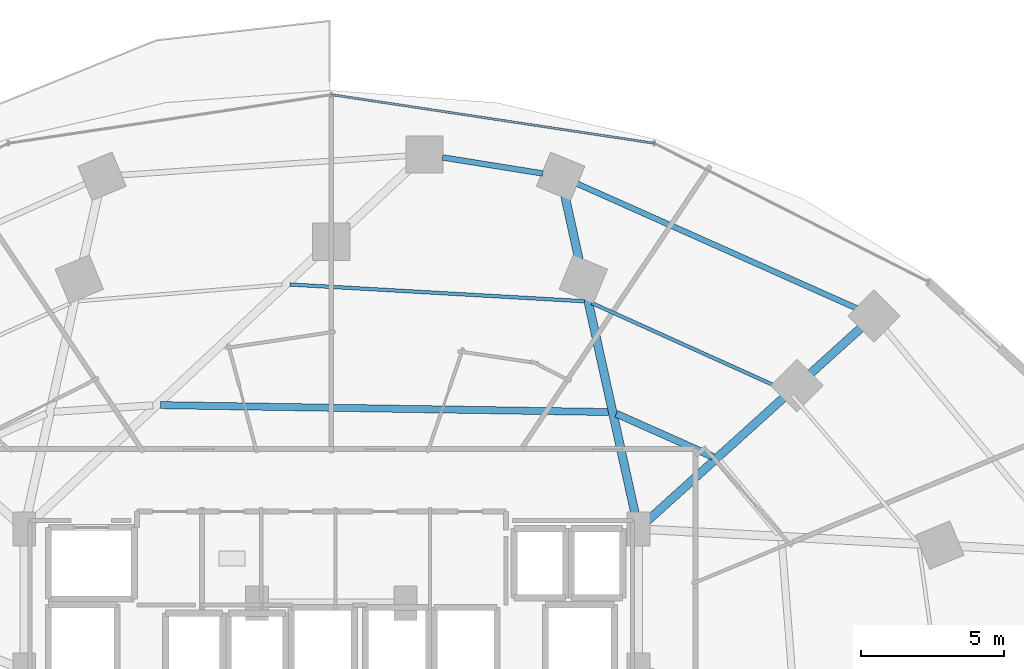
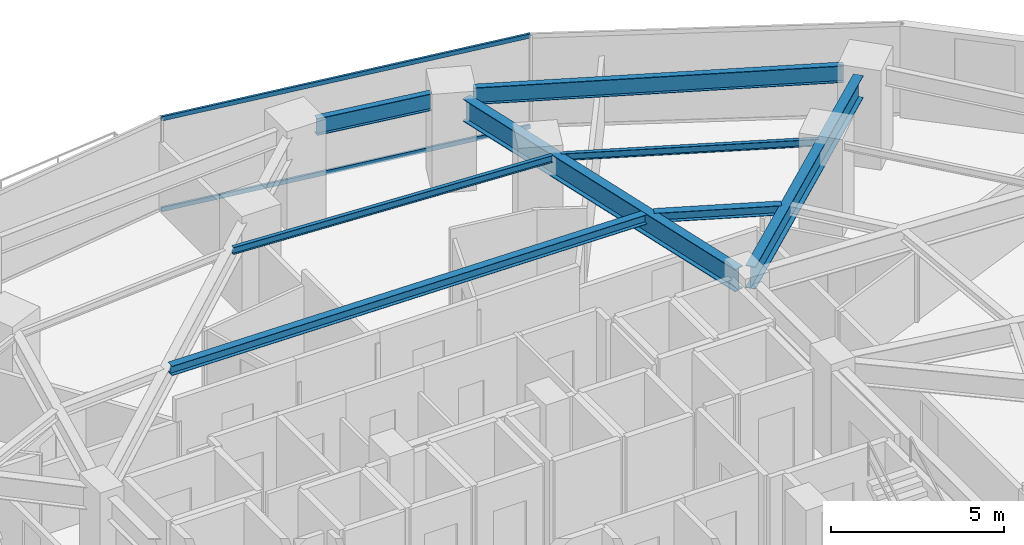
# One storey, part 23 of 35: 8 beams, 2 members, 1 element without a shape of its own.
"""IFC4 building model written with IfcOpenShell, lengths in metres."""

from ifc_helpers import new_model, si_unit, direction, frame, origin, origin_2d, place, context, subcontext, project, spatial, hollow_rectangle, i_section, extrude, material, material_profile, profile_set, type_object, element, aggregate, save


model = new_model("IFC4")

# Units and contexts
model_context = context("Model", 3, precision=1e-05, world=origin(), true_north=direction((0.0, 1.0)))
body_context = subcontext(model_context, "Body", "Model", "MODEL_VIEW")
ifc_project = project(units=[si_unit("LENGTHUNIT", "METRE"), si_unit("AREAUNIT", "SQUARE_METRE"), si_unit("VOLUMEUNIT", "CUBIC_METRE"), si_unit("PLANEANGLEUNIT", "RADIAN"), si_unit("MASSUNIT", "GRAM", prefix="KILO")], contexts=[model_context])

# Site, building, storey
site_placement = place(None, origin())
site = spatial("IfcSite", under=ifc_project, at=site_placement, CompositionType="ELEMENT")
building_placement = place(site_placement, origin())
building = spatial("IfcBuilding", under=site, at=building_placement, Name="Vorneva Point Tower", CompositionType="ELEMENT")
storey_placement = place(building_placement, frame((0.0, 0.0, 45.0)))
storey = spatial("IfcBuildingStorey", under=building, at=storey_placement, Name="L11", CompositionType="ELEMENT", Elevation=45.0)

# Beams
ifc_material_1 = material(Name="Steel S355", Category="steel")
ifc_material_profile_1 = material_profile(ifc_material_1, i_section(OverallWidth=0.300048828125, OverallDepth=0.7880859375, WebThickness=0.014404296875, FlangeThickness=0.02197265625, at=origin_2d()), Name="80Sh1")
ifc_profile_set_1 = profile_set([ifc_material_profile_1], Name="Steel S355")
beam_type_1 = type_object("IfcBeamType", Name="BM-GRD-80Sh1", PredefinedType="USERDEFINED", material=ifc_profile_set_1)
beam_1_placement = place(storey_placement, frame((56.52392578125, 40.172119140625, 2.845947265625), z_axis=(-0.742084477445, -0.67030636901, 0.0), x_axis=(0.67030636901, -0.742084477445, 0.0)))
element("IfcBeam", 1, at=beam_1_placement, inside=storey, type_object=beam_type_1, Name="L11 Radial Primary Girder 03", ObjectType="GIRDER", PredefinedType="USERDEFINED", context=body_context, shape_type="SweptSolid", body=[
    extrude(i_section(OverallWidth=0.300048828125, OverallDepth=0.7880859375, WebThickness=0.014404296875, FlangeThickness=0.02197265625, at=origin_2d()), origin(), (0.0, 0.0, 1.0), 10.135986328125),
])
beam_2_placement = place(storey_placement, frame((46.163818359375, 44.86865234375, 2.845947265625), z_axis=(0.215504784711, -0.976502784311, 0.0), x_axis=(0.976502784311, 0.215504784711, 0.0)))
element("IfcBeam", 2, at=beam_2_placement, inside=storey, type_object=beam_type_1, Name="L11 Radial Primary Girder 04", ObjectType="GIRDER", PredefinedType="USERDEFINED", context=body_context, shape_type="SweptSolid", body=[
    extrude(i_section(OverallWidth=0.300048828125, OverallDepth=0.7880859375, WebThickness=0.014404296875, FlangeThickness=0.02197265625, at=origin_2d()), origin(), (0.0, 0.0, 1.0), 11.66064453125),
])
ifc_material_profile_2 = material_profile(ifc_material_1, i_section(OverallWidth=0.1240234375, OverallDepth=0.248046875, WebThickness=0.0048828125, FlangeThickness=0.008056640625, at=origin_2d()), Name="25B1")
ifc_profile_set_2 = profile_set([ifc_material_profile_2], Name="Steel S355")
beam_type_2 = type_object("IfcBeamType", Name="BM-JST-25B1", PredefinedType="JOIST", material=ifc_profile_set_2)
beam_3_placement = place(storey_placement, frame((53.916015625, 37.98681640625, 3.115966796875), z_axis=(-0.911485447637, 0.411332321544, 0.0), x_axis=(-0.411332321544, -0.911485447637, 0.0)))
element("IfcBeam", 3, at=beam_3_placement, inside=storey, type_object=beam_type_2, Name="L11 Secondary Floor Beam 1.03", PredefinedType="JOIST", context=body_context, shape_type="SweptSolid", body=[
    extrude(i_section(OverallWidth=0.1240234375, OverallDepth=0.248046875, WebThickness=0.0048828125, FlangeThickness=0.008056640625, at=origin_2d()), origin(), (0.0, 0.0, 1.0), 7.457275390625),
])
beam_4_placement = place(storey_placement, frame((46.855224609375, 41.118896484375, 3.115966796875), z_axis=(-0.998384200403, 0.056824188384, 0.0), x_axis=(-0.056824188384, -0.998384200403, 0.0)))
element("IfcBeam", 4, at=beam_4_placement, inside=storey, type_object=beam_type_2, Name="L11 Secondary Floor Beam 1.04", PredefinedType="JOIST", context=body_context, shape_type="SweptSolid", body=[
    extrude(i_section(OverallWidth=0.1240234375, OverallDepth=0.248046875, WebThickness=0.0048828125, FlangeThickness=0.008056640625, at=origin_2d()), origin(), (0.0, 0.0, 1.0), 10.32421875),
])
ifc_material_profile_3 = material_profile(ifc_material_1, i_section(OverallWidth=0.2490234375, OverallDepth=0.333984375, WebThickness=0.008056640625, FlangeThickness=0.010986328125, at=origin_2d()), Name="35Sh1")
ifc_profile_set_3 = profile_set([ifc_material_profile_3], Name="Steel S355")
beam_type_3 = type_object("IfcBeamType", Name="BM-SEC-35Sh1", PredefinedType="BEAM", material=ifc_profile_set_3)
beam_5_placement = place(storey_placement, frame((51.3583984375, 35.676025390625, 3.072998046875), z_axis=(-0.913523317938, 0.406786366026, 0.0), x_axis=(-0.406786366026, -0.913523317938, 0.0)))
element("IfcBeam", 5, at=beam_5_placement, inside=storey, type_object=beam_type_3, Name="L11 Secondary Floor Beam 2.03", PredefinedType="BEAM", context=body_context, shape_type="SweptSolid", body=[
    extrude(i_section(OverallWidth=0.2490234375, OverallDepth=0.333984375, WebThickness=0.008056640625, FlangeThickness=0.010986328125, at=origin_2d()), origin(), (0.0, 0.0, 1.0), 3.705322265625),
])
beam_6_placement = place(storey_placement, frame((47.70947265625, 37.24169921875, 3.072998046875), z_axis=(-0.999881276016, 0.015408889389, 0.0), x_axis=(-0.015408889389, -0.999881276016, 0.0)))
element("IfcBeam", 6, at=beam_6_placement, inside=storey, type_object=beam_type_3, Name="L11 Secondary Floor Beam 2.04", PredefinedType="BEAM", context=body_context, shape_type="SweptSolid", body=[
    extrude(i_section(OverallWidth=0.2490234375, OverallDepth=0.333984375, WebThickness=0.008056640625, FlangeThickness=0.010986328125, at=origin_2d()), origin(), (0.0, 0.0, 1.0), 15.685791015625),
])
ifc_material_profile_4 = material_profile(ifc_material_1, i_section(OverallWidth=0.198974609375, OverallDepth=0.595947265625, WebThickness=0.010009765625, FlangeThickness=0.014892578125, at=origin_2d()), Name="60B1")
ifc_profile_set_4 = profile_set([ifc_material_profile_4], Name="Steel S355")
beam_type_4 = type_object("IfcBeamType", Name="BM-SPN-60B1", PredefinedType="SPANDREL", material=ifc_profile_set_4)
beam_7_placement = place(storey_placement, frame((56.41748046875, 40.8583984375, 2.94189453125), z_axis=(-0.913329187558, 0.407222046499, 0.0), x_axis=(-0.407222046499, -0.913329187558, 0.0)))
element("IfcBeam", 7, at=beam_7_placement, inside=storey, type_object=beam_type_4, Name="L11 Perimeter Spandrel Ring Beam 03", PredefinedType="SPANDREL", context=body_context, shape_type="SweptSolid", body=[
    extrude(i_section(OverallWidth=0.198974609375, OverallDepth=0.595947265625, WebThickness=0.010009765625, FlangeThickness=0.014892578125, at=origin_2d()), origin(), (0.0, 0.0, 1.0), 10.742431640625),
])
beam_8_placement = place(storey_placement, frame((45.399169921875, 45.591796875, 2.94189453125), z_axis=(-0.987466356523, 0.157829638328, 0.0), x_axis=(-0.157829638328, -0.987466356523, 0.0)))
element("IfcBeam", 8, at=beam_8_placement, inside=storey, type_object=beam_type_4, Name="L11 Perimeter Spandrel Ring Beam 04", PredefinedType="SPANDREL", context=body_context, shape_type="SweptSolid", body=[
    extrude(i_section(OverallWidth=0.198974609375, OverallDepth=0.595947265625, WebThickness=0.010009765625, FlangeThickness=0.014892578125, at=origin_2d()), origin(), (0.0, 0.0, 1.0), 3.551513671875),
])

# Curtain wall, members
ifc_material_2 = material(Name="Pale anodised aluminium", Category="aluminium")
curtain_wall_type = type_object("IfcCurtainWallType", Name="CW-HTL-SYS", PredefinedType="NOTDEFINED", material=ifc_material_2)
curtain_wall_placement = place(storey_placement, origin())
curtain_wall = element("IfcCurtainWall", 9, at=curtain_wall_placement, inside=storey, type_object=curtain_wall_type, Name="L11 Unitised Curtain Wall CW-L11-R02", PredefinedType="NOTDEFINED")
ifc_material_profile_5 = material_profile(ifc_material_2, hollow_rectangle(XDim=0.074951171875, YDim=0.14990234375, WallThickness=0.00390625, at=origin_2d()), Name="AL-TRN 150x75x4")
ifc_profile_set_5 = profile_set([ifc_material_profile_5], Name="Pale anodised aluminium")
member_type = type_object("IfcMemberType", Name="CW-TRN-150", PredefinedType="USERDEFINED", material=ifc_profile_set_5)
member_1_placement = place(storey_placement, frame((49.308349609375, 46.648681640625, 0.02001953125), z_axis=(-0.988870014575, 0.148782036131, 0.0), x_axis=(-0.148782036131, -0.988870014575, 0.0)))
member_1 = element("IfcMember", 10, at=member_1_placement, type_object=member_type, Name="CW-L11-R02 Transom 02.1", ObjectType="TRANSOM", PredefinedType="USERDEFINED", context=body_context, shape_type="SweptSolid", body=[
    extrude(hollow_rectangle(XDim=0.074951171875, YDim=0.14990234375, WallThickness=0.00390625, at=origin_2d()), origin(), (0.0, 0.0, 1.0), 11.435546875),
])
member_2_placement = place(storey_placement, frame((49.308349609375, 46.648681640625, 3.219970703125), z_axis=(-0.988870014575, 0.148782036131, 0.0), x_axis=(-0.148782036131, -0.988870014575, 0.0)))
member_2 = element("IfcMember", 11, at=member_2_placement, type_object=member_type, Name="CW-L11-R02 Transom 02.2", ObjectType="TRANSOM", PredefinedType="USERDEFINED", context=body_context, shape_type="SweptSolid", body=[
    extrude(hollow_rectangle(XDim=0.074951171875, YDim=0.14990234375, WallThickness=0.00390625, at=origin_2d()), origin(), (0.0, 0.0, 1.0), 11.435546875),
])
aggregate(curtain_wall, [member_1, member_2])

save(model, "model.ifc")
